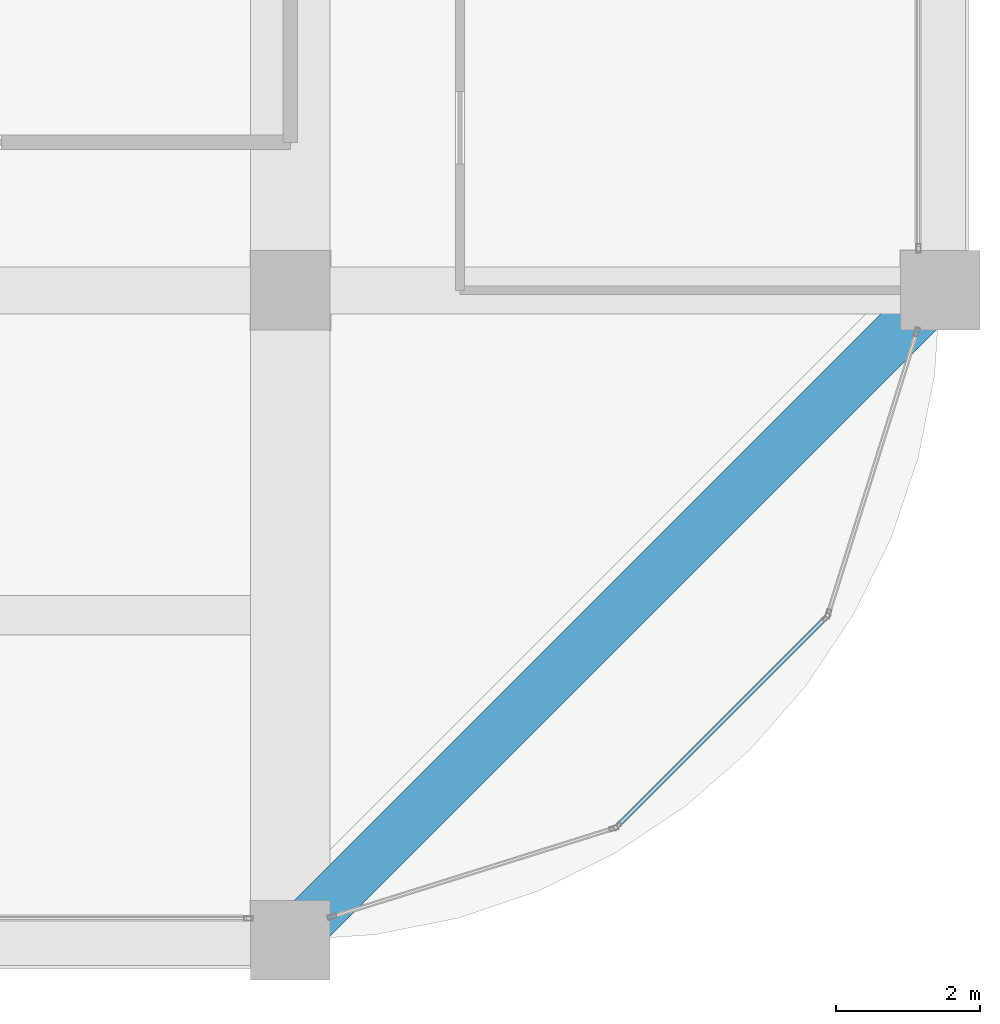
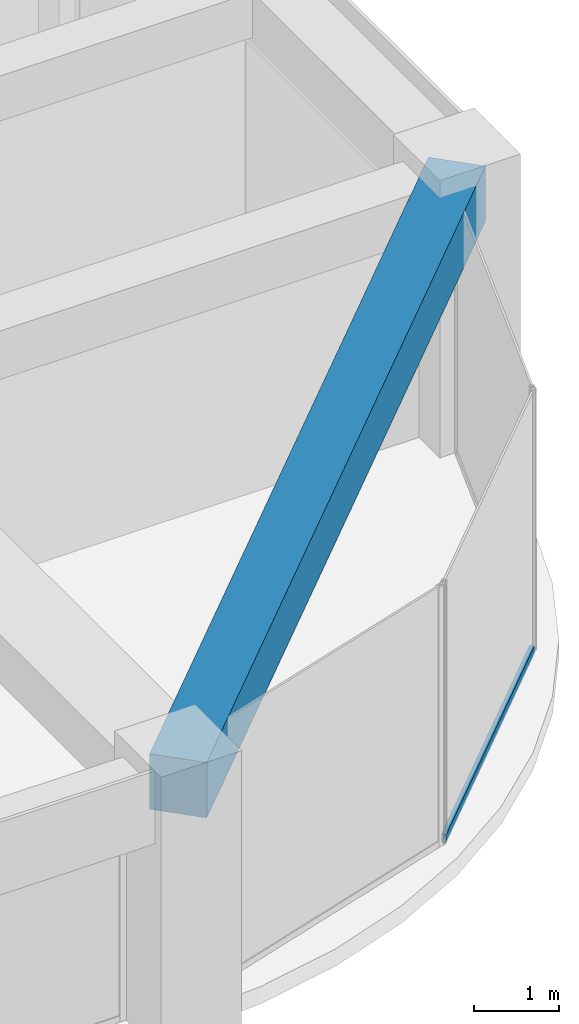
# One storey, part 19 of 44: 1 beam, 1 member, 1 element without a shape of its own.
"""IFC4 building model written with IfcOpenShell, lengths in metres."""

from ifc_helpers import new_model, si_unit, direction, frame, origin, origin_2d, place, context, subcontext, project, spatial, rectangle, hollow_rectangle, extrude, material, material_profile, profile_set, type_object, element, aggregate, save


model = new_model("IFC4")

# Units and contexts
model_context = context("Model", 3, precision=1e-05, world=origin(), true_north=direction((0.0, 1.0)))
body_context = subcontext(model_context, "Body", "Model", "MODEL_VIEW")
ifc_project = project(units=[si_unit("LENGTHUNIT", "METRE"), si_unit("AREAUNIT", "SQUARE_METRE"), si_unit("VOLUMEUNIT", "CUBIC_METRE"), si_unit("PLANEANGLEUNIT", "RADIAN"), si_unit("MASSUNIT", "GRAM", prefix="KILO")], contexts=[model_context])

# Site, building, storey
site_placement = place(None, origin())
site = spatial("IfcSite", under=ifc_project, at=site_placement, CompositionType="ELEMENT")
building_placement = place(site_placement, origin())
building = spatial("IfcBuilding", under=site, at=building_placement, Name="Zorevar Civic Tower", CompositionType="ELEMENT")
storey_placement = place(building_placement, frame((0.0, 0.0, 263.39990234375)))
storey = spatial("IfcBuildingStorey", under=building, at=storey_placement, Name="L64", CompositionType="ELEMENT", Elevation=263.39990234375)

# Curtain wall, member
ifc_material_1 = material(Name="Dark grey solar-control glass in black aluminium frame", Category="aluminium")
curtain_wall_type = type_object("IfcCurtainWallType", Name="Curtain wall CW5 top zone", PredefinedType="NOTDEFINED", material=ifc_material_1)
curtain_wall_placement = place(storey_placement, origin())
curtain_wall = element("IfcCurtainWall", 1, at=curtain_wall_placement, inside=storey, type_object=curtain_wall_type, Name="CW5 L64", PredefinedType="NOTDEFINED")
ifc_material_2 = material(Name="Aluminium, black anodised", Category="aluminium")
ifc_material_profile_1 = material_profile(ifc_material_2, hollow_rectangle(XDim=0.06005859375, YDim=0.1201171875, WallThickness=0.0029296875, at=origin_2d()), Name="AL 120x60x3")
ifc_profile_set_1 = profile_set([ifc_material_profile_1], Name="Aluminium, black anodised")
member_type = type_object("IfcMemberType", Name="CW5 transom AL 120x60x3", PredefinedType="USERDEFINED", material=ifc_profile_set_1)
member_placement = place(storey_placement, frame((49.55029296875, 1.6015625, 0.030029296875), z_axis=(0.707106781187, 0.707106781187, 0.0), x_axis=(-0.707106781187, 0.707106781187, 0.0)))
member = element("IfcMember", 2, at=member_placement, type_object=member_type, Name="CW5 sill transom", ObjectType="TRANSOM", PredefinedType="USERDEFINED", context=body_context, shape_type="SweptSolid", body=[
    extrude(hollow_rectangle(XDim=0.06005859375, YDim=0.1201171875, WallThickness=0.0029296875, at=origin_2d()), origin(), (0.0, 0.0, 1.0), 4.02783203125),
])
aggregate(curtain_wall, [member])

# Beam
ifc_material_3 = material(Name="Concrete C50/60", Category="concrete")
ifc_material_profile_2 = material_profile(ifc_material_3, rectangle(XDim=0.699951171875, YDim=0.800048828125, at=origin_2d()), Name="RC 700x800")
ifc_profile_set_2 = profile_set([ifc_material_profile_2], Name="Concrete C50/60")
beam_type = type_object("IfcBeamType", Name="Edge beam RC 700x800", PredefinedType="SPANDREL", material=ifc_profile_set_2)
beam_placement = place(storey_placement, frame((45.0, 0.0, 3.35009765625), z_axis=(0.707106781187, 0.707106781187, 0.0), x_axis=(-0.707106781187, 0.707106781187, 0.0)))
element("IfcBeam", 3, at=beam_placement, inside=storey, type_object=beam_type, Name="Corner edge beam L65", PredefinedType="SPANDREL", context=body_context, shape_type="SweptSolid", body=[
    extrude(rectangle(XDim=0.699951171875, YDim=0.800048828125, at=origin_2d()), origin(), (0.0, 0.0, 1.0), 12.72802734375),
])

save(model, "model.ifc")
